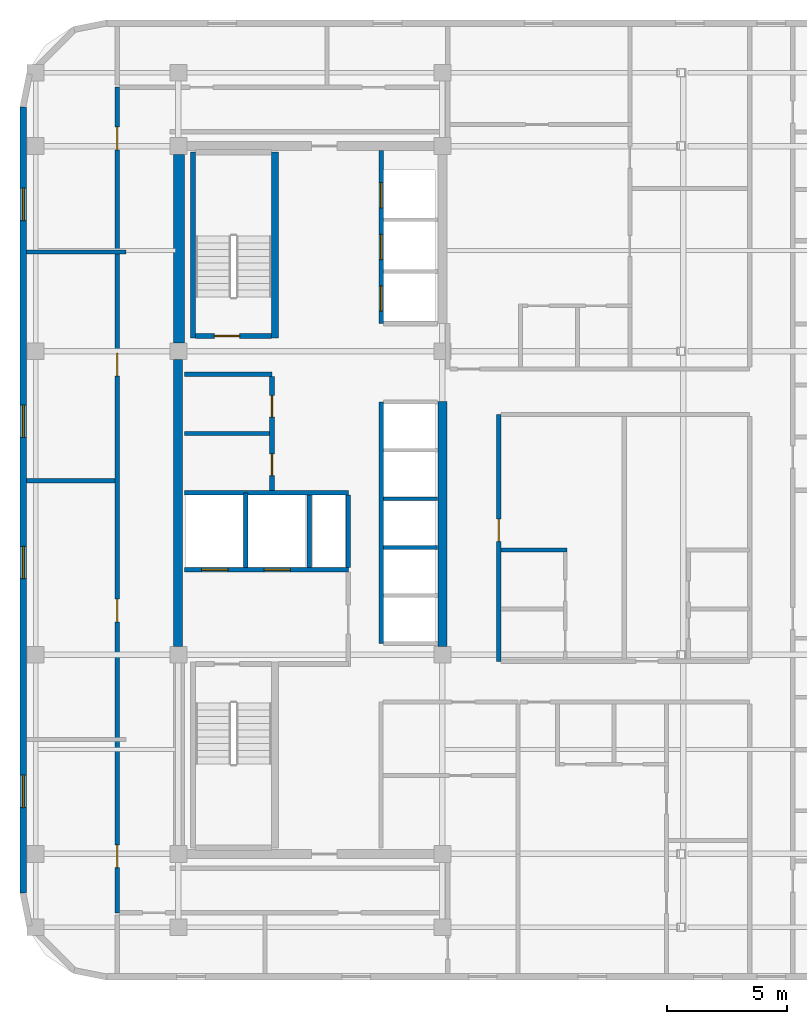
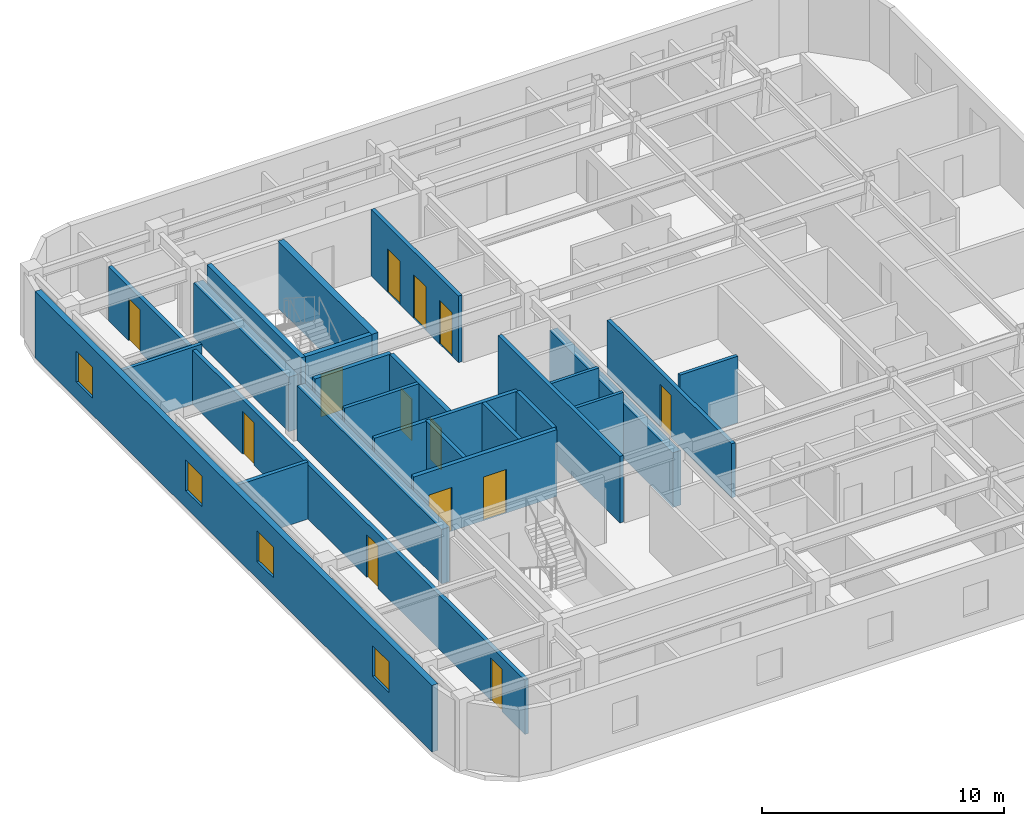
# One storey, part 4 of 8: 24 walls, 13 doors, 4 windows, 17 openings.
"""IFC4 building model written with IfcOpenShell, lengths in metres."""

from ifc_helpers import new_model, si_unit, direction, frame, frame_2d, origin, place, context, subcontext, project, spatial, rectangle, extrude, material, layer, layer_set, type_object, element, fill, save


model = new_model("IFC4")

# Units and contexts
model_context = context("Model", 3, precision=1e-05, world=origin(), true_north=direction((0.0, 1.0)))
body_context = subcontext(model_context, "Body", "Model", "MODEL_VIEW")
ifc_project = project(units=[si_unit("LENGTHUNIT", "METRE"), si_unit("AREAUNIT", "SQUARE_METRE"), si_unit("VOLUMEUNIT", "CUBIC_METRE"), si_unit("PLANEANGLEUNIT", "RADIAN"), si_unit("MASSUNIT", "GRAM", prefix="KILO")], contexts=[model_context])

# Site, building, storey
site_placement = place(None, origin())
site = spatial("IfcSite", under=ifc_project, at=site_placement, CompositionType="ELEMENT")
building_placement = place(site_placement, origin())
building = spatial("IfcBuilding", under=site, at=building_placement, Name="Ochreholt Gables", CompositionType="ELEMENT")
storey_placement = place(building_placement, frame((0.0, 0.0, 148.199951171875)))
storey = spatial("IfcBuildingStorey", under=building, at=storey_placement, Name="L38", CompositionType="ELEMENT", Elevation=148.199951171875)

# Walls
ifc_material_1 = material(Name="Concrete 50 MPa", Category="concrete")
ifc_layer_1 = layer(ifc_material_1, 0.3798828125, Name="Concrete 50 MPa")
ifc_layer_set_1 = layer_set([ifc_layer_1], Name="Concrete 50 MPa")
wall_type_1 = type_object("IfcWallType", Name="WALL-CSW-380", PredefinedType="SHEAR", material=ifc_layer_set_1)
wall_1_placement = place(storey_placement, frame((24.18994140625, 17.89990234375, 0.0), z_axis=(0.0, 0.0, 1.0), x_axis=(0.0, 1.0, 0.0)))
element("IfcWall", 1, at=wall_1_placement, inside=storey, type_object=wall_type_1, Name="L38 Core West Shear Wall WM", PredefinedType="SHEAR", context=body_context, shape_type="SweptSolid", body=[
    extrude(rectangle(XDim=11.9501953125, YDim=0.3798828125, at=frame_2d((5.97509765625, 0.0))), origin(), (0.0, 0.0, 1.0), 2.748046875),
])
wall_2_placement = place(storey_placement, frame((35.2099609375, 17.89990234375, 0.0), z_axis=(0.0, 0.0, 1.0), x_axis=(0.0, 1.0, 0.0)))
element("IfcWall", 2, at=wall_2_placement, inside=storey, type_object=wall_type_1, Name="L38 Core Central-East Shear Wall", PredefinedType="SHEAR", context=body_context, shape_type="SweptSolid", body=[
    extrude(rectangle(XDim=10.2001953125, YDim=0.3798828125, at=frame_2d((5.10009765625, 0.0))), origin(), (0.0, 0.0, 1.0), 2.748046875),
])
ifc_material_2 = material(Name="Concrete 60 MPa", Category="concrete")
ifc_layer_2 = layer(ifc_material_2, 0.449951171875, Name="Concrete 60 MPa")
ifc_layer_set_2 = layer_set([ifc_layer_2], Name="Concrete 60 MPa")
wall_type_2 = type_object("IfcWallType", Name="WALL-CSW-450", PredefinedType="SHEAR", material=ifc_layer_set_2)
wall_3_placement = place(storey_placement, frame((24.22509765625, 30.550048828125, 0.0), z_axis=(0.0, 0.0, 1.0), x_axis=(0.0, 1.0, 0.0)))
element("IfcWall", 3, at=wall_3_placement, inside=storey, type_object=wall_type_2, Name="L38 Core West Shear Wall WN", PredefinedType="SHEAR", context=body_context, shape_type="SweptSolid", body=[
    extrude(rectangle(XDim=7.849853515625, YDim=0.449951171875, at=frame_2d((3.9248046875, 0.0))), origin(), (0.0, 0.0, 1.0), 2.748046875),
])

# Wall, openings, windows
ifc_material_3 = material(Name="Precast concrete 40 MPa", Category="concrete")
ifc_layer_3 = layer(ifc_material_3, 0.280029296875, Name="Precast concrete 40 MPa")
ifc_layer_set_3 = layer_set([ifc_layer_3], Name="Precast concrete 40 MPa")
wall_type_3 = type_object("IfcWallType", Name="WALL-EXT-280", PredefinedType="SOLIDWALL", material=ifc_layer_set_3)
wall_4_placement = place(storey_placement, frame((17.739990234375, 40.3798828125, 0.0), z_axis=(0.0, 0.0, 1.0), x_axis=(0.0, -1.0, 0.0)))
wall_4 = element("IfcWall", 4, at=wall_4_placement, inside=storey, type_object=wall_type_3, Name="L38 West Exterior Wall", PredefinedType="SOLIDWALL", context=body_context, shape_type="SweptSolid", body=[
    extrude(rectangle(XDim=32.759765625, YDim=0.280029296875, at=frame_2d((16.3798828125, 0.0))), origin(), (0.0, 0.0, 1.0), 3.360107421875),
])
opening_1_placement = place(wall_4_placement, frame((27.847412109375, 0.0, 0.85009765625)))
opening_1 = element("IfcOpeningElement", 5, at=opening_1_placement, cuts=wall_4, Name="Opening WN-8", PredefinedType="OPENING", context=body_context, shape_type="SweptSolid", body=[
    extrude(rectangle(XDim=1.35009765625, YDim=1.550048828125, at=frame_2d((0.675048828125, 0.77490234375))), frame((0.0, 0.14990234375, 0.0), z_axis=(0.0, -1.0, 0.0), x_axis=(1.0, 0.0, 0.0)), (0.0, 0.0, 1.0), 0.300048828125),
])
opening_2_placement = place(wall_4_placement, frame((18.31005859375, 0.0, 0.85009765625)))
opening_2 = element("IfcOpeningElement", 6, at=opening_2_placement, cuts=wall_4, Name="Opening WN-8", PredefinedType="OPENING", context=body_context, shape_type="SweptSolid", body=[
    extrude(rectangle(XDim=1.35009765625, YDim=1.550048828125, at=frame_2d((0.675048828125, 0.77490234375))), frame((0.0, 0.14990234375, 0.0), z_axis=(0.0, -1.0, 0.0), x_axis=(1.0, 0.0, 0.0)), (0.0, 0.0, 1.0), 0.300048828125),
])
opening_3_placement = place(wall_4_placement, frame((12.425048828125, 0.0, 0.85009765625)))
opening_3 = element("IfcOpeningElement", 7, at=opening_3_placement, cuts=wall_4, Name="Opening WN-8", PredefinedType="OPENING", context=body_context, shape_type="SweptSolid", body=[
    extrude(rectangle(XDim=1.35009765625, YDim=1.550048828125, at=frame_2d((0.675048828125, 0.77490234375))), frame((0.0, 0.14990234375, 0.0), z_axis=(0.0, -1.0, 0.0), x_axis=(1.0, 0.0, 0.0)), (0.0, 0.0, 1.0), 0.300048828125),
])
opening_4_placement = place(wall_4_placement, frame((3.387451171875, 0.0, 0.85009765625)))
opening_4 = element("IfcOpeningElement", 8, at=opening_4_placement, cuts=wall_4, Name="Opening WN-8", PredefinedType="OPENING", context=body_context, shape_type="SweptSolid", body=[
    extrude(rectangle(XDim=1.35009765625, YDim=1.550048828125, at=frame_2d((0.675048828125, 0.77490234375))), frame((0.0, 0.14990234375, 0.0), z_axis=(0.0, -1.0, 0.0), x_axis=(1.0, 0.0, 0.0)), (0.0, 0.0, 1.0), 0.300048828125),
])
ifc_material_4 = material(Name="Triple-Glazed Thermally Broken Aluminium Window", Category="aluminium")
window_type = type_object("IfcWindowType", Name="WIN-RES-1350", PartitioningType="SINGLE_PANEL", PredefinedType="WINDOW", material=ifc_material_4)
window_1_placement = place(opening_1_placement, origin())
window_1 = element("IfcWindow", 9, at=window_1_placement, inside=storey, type_object=window_type, Name="L38 Window W-EXT-W-L38-1", OverallHeight=1.550048828125, OverallWidth=1.35009765625, PartitioningType="SINGLE_PANEL", PredefinedType="WINDOW", context=body_context, shape_type="SweptSolid", body=[
    extrude(rectangle(XDim=1.35009765625, YDim=1.550048828125, at=frame_2d((0.675048828125, 0.77490234375))), frame((0.0, 0.030029296875, 0.0), z_axis=(0.0, -1.0, 0.0), x_axis=(1.0, 0.0, 0.0)), (0.0, 0.0, 1.0), 0.06005859375),
])
fill(opening_1, window_1)
window_2_placement = place(opening_2_placement, origin())
window_2 = element("IfcWindow", 10, at=window_2_placement, inside=storey, type_object=window_type, Name="L38 Window W-EXT-W-L38-2", OverallHeight=1.550048828125, OverallWidth=1.35009765625, PartitioningType="SINGLE_PANEL", PredefinedType="WINDOW", context=body_context, shape_type="SweptSolid", body=[
    extrude(rectangle(XDim=1.35009765625, YDim=1.550048828125, at=frame_2d((0.675048828125, 0.77490234375))), frame((0.0, 0.030029296875, 0.0), z_axis=(0.0, -1.0, 0.0), x_axis=(1.0, 0.0, 0.0)), (0.0, 0.0, 1.0), 0.06005859375),
])
fill(opening_2, window_2)
window_3_placement = place(opening_3_placement, origin())
window_3 = element("IfcWindow", 11, at=window_3_placement, inside=storey, type_object=window_type, Name="L38 Window W-EXT-W-L38-3", OverallHeight=1.550048828125, OverallWidth=1.35009765625, PartitioningType="SINGLE_PANEL", PredefinedType="WINDOW", context=body_context, shape_type="SweptSolid", body=[
    extrude(rectangle(XDim=1.35009765625, YDim=1.550048828125, at=frame_2d((0.675048828125, 0.77490234375))), frame((0.0, 0.030029296875, 0.0), z_axis=(0.0, -1.0, 0.0), x_axis=(1.0, 0.0, 0.0)), (0.0, 0.0, 1.0), 0.06005859375),
])
fill(opening_3, window_3)
window_4_placement = place(opening_4_placement, origin())
window_4 = element("IfcWindow", 12, at=window_4_placement, inside=storey, type_object=window_type, Name="L38 Window W-EXT-W-L38-4", OverallHeight=1.550048828125, OverallWidth=1.35009765625, PartitioningType="SINGLE_PANEL", PredefinedType="WINDOW", context=body_context, shape_type="SweptSolid", body=[
    extrude(rectangle(XDim=1.35009765625, YDim=1.550048828125, at=frame_2d((0.675048828125, 0.77490234375))), frame((0.0, 0.030029296875, 0.0), z_axis=(0.0, -1.0, 0.0), x_axis=(1.0, 0.0, 0.0)), (0.0, 0.0, 1.0), 0.06005859375),
])
fill(opening_4, window_4)

# Wall, openings, doors
ifc_material_5 = material(Name="Concrete 40 MPa", Category="concrete")
ifc_layer_4 = layer(ifc_material_5, 0.199951171875, Name="Concrete 40 MPa")
ifc_layer_set_4 = layer_set([ifc_layer_4], Name="Concrete 40 MPa")
wall_type_4 = type_object("IfcWallType", Name="WALL-INT-CF200", PredefinedType="STANDARD", material=ifc_layer_set_4)
wall_5_placement = place(storey_placement, frame((24.449951171875, 21.090087890625, 0.0), z_axis=(0.0, 0.0, 1.0), x_axis=(1.0, 0.0, 0.0)))
wall_5 = element("IfcWall", 13, at=wall_5_placement, inside=storey, type_object=wall_type_4, Name="L38 Interior Wall WI-FFN-L38", PredefinedType="STANDARD", context=body_context, shape_type="SweptSolid", body=[
    extrude(rectangle(XDim=6.830078125, YDim=0.199951171875, at=frame_2d((3.4150390625, 0.0))), origin(), (0.0, 0.0, 1.0), 3.360107421875),
])
opening_5_placement = place(wall_5_placement, frame((0.719970703125, 0.0, 0.0)))
opening_5 = element("IfcOpeningElement", 14, at=opening_5_placement, cuts=wall_5, Name="Opening LD-FF", PredefinedType="OPENING", context=body_context, shape_type="SweptSolid", body=[
    extrude(rectangle(XDim=1.10009765625, YDim=2.199951171875, at=frame_2d((0.550048828125, 1.10009765625))), frame((0.0, 0.10986328125, 0.0), z_axis=(0.0, -1.0, 0.0), x_axis=(1.0, 0.0, 0.0)), (0.0, 0.0, 1.0), 0.219970703125),
])
opening_6_placement = place(wall_5_placement, frame((3.320068359375, 0.0, 0.0)))
opening_6 = element("IfcOpeningElement", 15, at=opening_6_placement, cuts=wall_5, Name="Opening LD-FF", PredefinedType="OPENING", context=body_context, shape_type="SweptSolid", body=[
    extrude(rectangle(XDim=1.10009765625, YDim=2.199951171875, at=frame_2d((0.550048828125, 1.10009765625))), frame((0.0, 0.10986328125, 0.0), z_axis=(0.0, -1.0, 0.0), x_axis=(1.0, 0.0, 0.0)), (0.0, 0.0, 1.0), 0.219970703125),
])
ifc_material_6 = material(Name="Stainless Steel", Category="steel")
door_type_1 = type_object("IfcDoorType", Name="DR-LFT-FF1100", OperationType="NOTDEFINED", PredefinedType="DOOR", material=ifc_material_6)
door_1_placement = place(opening_5_placement, origin())
door_1 = element("IfcDoor", 16, at=door_1_placement, inside=storey, type_object=door_type_1, Name="L38 Door LD-FF1-L38", OperationType="SLIDING_TO_LEFT", OverallHeight=2.199951171875, OverallWidth=1.10009765625, PredefinedType="DOOR", context=body_context, shape_type="SweptSolid", body=[
    extrude(rectangle(XDim=1.10009765625, YDim=2.199951171875, at=frame_2d((0.550048828125, 1.10009765625))), frame((0.0, 0.02490234375, 0.0), z_axis=(0.0, -1.0, 0.0), x_axis=(1.0, 0.0, 0.0)), (0.0, 0.0, 1.0), 0.050048828125),
])
fill(opening_5, door_1)
door_2_placement = place(opening_6_placement, origin())
door_2 = element("IfcDoor", 17, at=door_2_placement, inside=storey, type_object=door_type_1, Name="L38 Door LD-FF2-L38", OperationType="SLIDING_TO_LEFT", OverallHeight=2.199951171875, OverallWidth=1.10009765625, PredefinedType="DOOR", context=body_context, shape_type="SweptSolid", body=[
    extrude(rectangle(XDim=1.10009765625, YDim=2.199951171875, at=frame_2d((0.550048828125, 1.10009765625))), frame((0.0, 0.02490234375, 0.0), z_axis=(0.0, -1.0, 0.0), x_axis=(1.0, 0.0, 0.0)), (0.0, 0.0, 1.0), 0.050048828125),
])
fill(opening_6, door_2)

# Wall
wall_6_placement = place(storey_placement, frame((24.449951171875, 29.239990234375, 0.0), z_axis=(0.0, 0.0, 1.0), x_axis=(1.0, 0.0, 0.0)))
element("IfcWall", 18, at=wall_6_placement, inside=storey, type_object=wall_type_4, Name="L38 Interior Wall WI-SRVN-L38", PredefinedType="STANDARD", context=body_context, shape_type="SweptSolid", body=[
    extrude(rectangle(XDim=3.650146484375, YDim=0.199951171875, at=frame_2d((1.8251953125, 0.0))), origin(), (0.0, 0.0, 1.0), 3.360107421875),
])

# Wall, openings, doors
wall_7_placement = place(storey_placement, frame((28.10009765625, 24.389892578125, 0.0), z_axis=(0.0, 0.0, 1.0), x_axis=(0.0, 1.0, 0.0)))
wall_7 = element("IfcWall", 19, at=wall_7_placement, inside=storey, type_object=wall_type_4, Name="L38 Interior Wall WI-SRVE-L38", PredefinedType="STANDARD", context=body_context, shape_type="SweptSolid", body=[
    extrude(rectangle(XDim=4.75, YDim=0.199951171875, at=frame_2d((2.375, 0.0))), origin(), (0.0, 0.0, 1.0), 3.360107421875),
])
opening_7_placement = place(wall_7_placement, frame((0.6298828125, 0.0, 0.0)))
opening_7 = element("IfcOpeningElement", 20, at=opening_7_placement, cuts=wall_7, Name="Opening D-SV1", PredefinedType="OPENING", context=body_context, shape_type="SweptSolid", body=[
    extrude(rectangle(XDim=0.89990234375, YDim=2.10009765625, at=frame_2d((0.449951171875, 1.050048828125))), frame((0.0, 0.10986328125, 0.0), z_axis=(0.0, -1.0, 0.0), x_axis=(1.0, 0.0, 0.0)), (0.0, 0.0, 1.0), 0.219970703125),
])
opening_8_placement = place(wall_7_placement, frame((3.06005859375, 0.0, 0.0)))
opening_8 = element("IfcOpeningElement", 21, at=opening_8_placement, cuts=wall_7, Name="Opening D-SV1", PredefinedType="OPENING", context=body_context, shape_type="SweptSolid", body=[
    extrude(rectangle(XDim=0.89990234375, YDim=2.10009765625, at=frame_2d((0.449951171875, 1.050048828125))), frame((0.0, 0.10986328125, 0.0), z_axis=(0.0, -1.0, 0.0), x_axis=(1.0, 0.0, 0.0)), (0.0, 0.0, 1.0), 0.219970703125),
])
ifc_material_7 = material(Name="Hollow Metal Steel", Category="steel")
door_type_2 = type_object("IfcDoorType", Name="DR-INT-SRV900", OperationType="NOTDEFINED", PredefinedType="DOOR", material=ifc_material_7)
door_3_placement = place(opening_7_placement, origin())
door_3 = element("IfcDoor", 22, at=door_3_placement, inside=storey, type_object=door_type_2, Name="L38 Door D-SRV1-L38", OperationType="SINGLE_SWING_LEFT", OverallHeight=2.10009765625, OverallWidth=0.89990234375, PredefinedType="DOOR", context=body_context, shape_type="SweptSolid", body=[
    extrude(rectangle(XDim=0.89990234375, YDim=2.10009765625, at=frame_2d((0.449951171875, 1.050048828125))), frame((0.0, 0.02490234375, 0.0), z_axis=(0.0, -1.0, 0.0), x_axis=(1.0, 0.0, 0.0)), (0.0, 0.0, 1.0), 0.050048828125),
])
fill(opening_7, door_3)
door_4_placement = place(opening_8_placement, origin())
door_4 = element("IfcDoor", 23, at=door_4_placement, inside=storey, type_object=door_type_2, Name="L38 Door D-SRV2-L38", OperationType="SINGLE_SWING_RIGHT", OverallHeight=2.10009765625, OverallWidth=0.89990234375, PredefinedType="DOOR", context=body_context, shape_type="SweptSolid", body=[
    extrude(rectangle(XDim=0.89990234375, YDim=2.10009765625, at=frame_2d((0.449951171875, 1.050048828125))), frame((0.0, 0.02490234375, 0.0), z_axis=(0.0, -1.0, 0.0), x_axis=(1.0, 0.0, 0.0)), (0.0, 0.0, 1.0), 0.050048828125),
])
fill(opening_8, door_4)

# Wall, opening, door
ifc_material_8 = material(Name="Fire-Rated Gypsum Acoustic Partition", Category="gypsum")
ifc_layer_5 = layer(ifc_material_8, 0.179931640625, Name="Fire-Rated Gypsum Acoustic Partition")
ifc_layer_set_5 = layer_set([ifc_layer_5], Name="Fire-Rated Gypsum Acoustic Partition")
wall_type_5 = type_object("IfcWallType", Name="WALL-INT-CR180", PredefinedType="STANDARD", material=ifc_layer_set_5)
wall_8_placement = place(storey_placement, frame((37.550048828125, 17.280029296875, 0.0), z_axis=(0.0, 0.0, 1.0), x_axis=(0.0, 1.0, 0.0)))
wall_8 = element("IfcWall", 24, at=wall_8_placement, inside=storey, type_object=wall_type_5, Name="L38 Interior Wall WI-C2EM-L38", PredefinedType="STANDARD", context=body_context, shape_type="SweptSolid", body=[
    extrude(rectangle(XDim=10.280029296875, YDim=0.179931640625, at=frame_2d((5.14013671875, 0.0))), origin(), (0.0, 0.0, 1.0), 2.72998046875),
])
opening_9_placement = place(wall_8_placement, frame((5.0, 0.0, 0.0)))
opening_9 = element("IfcOpeningElement", 25, at=opening_9_placement, cuts=wall_8, Name="Opening D-UN1", PredefinedType="OPENING", context=body_context, shape_type="SweptSolid", body=[
    extrude(rectangle(XDim=0.919921875, YDim=2.14990234375, at=frame_2d((0.4599609375, 1.074951171875))), frame((0.0, 0.099853515625, 0.0), z_axis=(0.0, -1.0, 0.0), x_axis=(1.0, 0.0, 0.0)), (0.0, 0.0, 1.0), 0.199951171875),
])
ifc_material_9 = material(Name="Engineered Oak Timber", Category="wood")
door_type_3 = type_object("IfcDoorType", Name="DR-INT-UNT920", OperationType="NOTDEFINED", PredefinedType="DOOR", material=ifc_material_9)
door_5_placement = place(opening_9_placement, origin())
door_5 = element("IfcDoor", 26, at=door_5_placement, inside=storey, type_object=door_type_3, Name="L38 Door D-U-L38M1-ENT", OperationType="SINGLE_SWING_RIGHT", OverallHeight=2.14990234375, OverallWidth=0.919921875, PredefinedType="DOOR", context=body_context, shape_type="SweptSolid", body=[
    extrude(rectangle(XDim=0.919921875, YDim=2.14990234375, at=frame_2d((0.4599609375, 1.074951171875))), frame((0.0, 0.02490234375, 0.0), z_axis=(0.0, -1.0, 0.0), x_axis=(1.0, 0.0, 0.0)), (0.0, 0.0, 1.0), 0.050048828125),
])
fill(opening_9, door_5)

# Wall, openings, doors
wall_9_placement = place(storey_placement, frame((21.64990234375, 6.800048828125, 0.0), z_axis=(0.0, 0.0, 1.0), x_axis=(0.0, 1.0, 0.0)))
wall_9 = element("IfcWall", 27, at=wall_9_placement, inside=storey, type_object=wall_type_5, Name="L38 Interior Wall WI-C2WCW-L38", PredefinedType="STANDARD", context=body_context, shape_type="SweptSolid", body=[
    extrude(rectangle(XDim=34.39990234375, YDim=0.179931640625, at=frame_2d((17.199951171875, 0.0))), origin(), (0.0, 0.0, 1.0), 2.72998046875),
])
opening_10_placement = place(wall_9_placement, frame((1.882568359375, 0.0, 0.0)))
opening_10 = element("IfcOpeningElement", 28, at=opening_10_placement, cuts=wall_9, Name="Opening D-GN1", PredefinedType="OPENING", context=body_context, shape_type="SweptSolid", body=[
    extrude(rectangle(XDim=0.949951171875, YDim=2.14990234375, at=frame_2d((0.47509765625, 1.074951171875))), frame((0.0, 0.099853515625, 0.0), z_axis=(0.0, -1.0, 0.0), x_axis=(1.0, 0.0, 0.0)), (0.0, 0.0, 1.0), 0.199951171875),
])
opening_11_placement = place(wall_9_placement, frame((12.117431640625, 0.0, 0.0)))
opening_11 = element("IfcOpeningElement", 29, at=opening_11_placement, cuts=wall_9, Name="Opening D-GN1", PredefinedType="OPENING", context=body_context, shape_type="SweptSolid", body=[
    extrude(rectangle(XDim=0.949951171875, YDim=2.14990234375, at=frame_2d((0.47509765625, 1.074951171875))), frame((0.0, 0.099853515625, 0.0), z_axis=(0.0, -1.0, 0.0), x_axis=(1.0, 0.0, 0.0)), (0.0, 0.0, 1.0), 0.199951171875),
])
opening_12_placement = place(wall_9_placement, frame((22.357421875, 0.0, 0.0)))
opening_12 = element("IfcOpeningElement", 30, at=opening_12_placement, cuts=wall_9, Name="Opening D-GN1", PredefinedType="OPENING", context=body_context, shape_type="SweptSolid", body=[
    extrude(rectangle(XDim=0.949951171875, YDim=2.14990234375, at=frame_2d((0.47509765625, 1.074951171875))), frame((0.0, 0.099853515625, 0.0), z_axis=(0.0, -1.0, 0.0), x_axis=(1.0, 0.0, 0.0)), (0.0, 0.0, 1.0), 0.199951171875),
])
opening_13_placement = place(wall_9_placement, frame((31.79248046875, 0.0, 0.0)))
opening_13 = element("IfcOpeningElement", 31, at=opening_13_placement, cuts=wall_9, Name="Opening D-GN1", PredefinedType="OPENING", context=body_context, shape_type="SweptSolid", body=[
    extrude(rectangle(XDim=0.949951171875, YDim=2.14990234375, at=frame_2d((0.47509765625, 1.074951171875))), frame((0.0, 0.099853515625, 0.0), z_axis=(0.0, -1.0, 0.0), x_axis=(1.0, 0.0, 0.0)), (0.0, 0.0, 1.0), 0.199951171875),
])
door_type_4 = type_object("IfcDoorType", Name="DR-INT-GEN950", OperationType="NOTDEFINED", PredefinedType="DOOR", material=ifc_material_9)
door_6_placement = place(opening_10_placement, origin())
door_6 = element("IfcDoor", 32, at=door_6_placement, inside=storey, type_object=door_type_4, Name="L38 Door D-U-L38W1A-ENT", OperationType="SINGLE_SWING_RIGHT", OverallHeight=2.14990234375, OverallWidth=0.949951171875, PredefinedType="DOOR", context=body_context, shape_type="SweptSolid", body=[
    extrude(rectangle(XDim=0.949951171875, YDim=2.14990234375, at=frame_2d((0.47509765625, 1.074951171875))), frame((0.0, 0.02490234375, 0.0), z_axis=(0.0, -1.0, 0.0), x_axis=(1.0, 0.0, 0.0)), (0.0, 0.0, 1.0), 0.050048828125),
])
fill(opening_10, door_6)
door_7_placement = place(opening_11_placement, origin())
door_7 = element("IfcDoor", 33, at=door_7_placement, inside=storey, type_object=door_type_4, Name="L38 Door D-U-L38W1B-ENT", OperationType="SINGLE_SWING_LEFT", OverallHeight=2.14990234375, OverallWidth=0.949951171875, PredefinedType="DOOR", context=body_context, shape_type="SweptSolid", body=[
    extrude(rectangle(XDim=0.949951171875, YDim=2.14990234375, at=frame_2d((0.47509765625, 1.074951171875))), frame((0.0, 0.02490234375, 0.0), z_axis=(0.0, -1.0, 0.0), x_axis=(1.0, 0.0, 0.0)), (0.0, 0.0, 1.0), 0.050048828125),
])
fill(opening_11, door_7)
door_8_placement = place(opening_12_placement, origin())
door_8 = element("IfcDoor", 34, at=door_8_placement, inside=storey, type_object=door_type_4, Name="L38 Door D-U-L38W2A-ENT", OperationType="SINGLE_SWING_LEFT", OverallHeight=2.14990234375, OverallWidth=0.949951171875, PredefinedType="DOOR", context=body_context, shape_type="SweptSolid", body=[
    extrude(rectangle(XDim=0.949951171875, YDim=2.14990234375, at=frame_2d((0.47509765625, 1.074951171875))), frame((0.0, 0.02490234375, 0.0), z_axis=(0.0, -1.0, 0.0), x_axis=(1.0, 0.0, 0.0)), (0.0, 0.0, 1.0), 0.050048828125),
])
fill(opening_12, door_8)
door_9_placement = place(opening_13_placement, origin())
door_9 = element("IfcDoor", 35, at=door_9_placement, inside=storey, type_object=door_type_4, Name="L38 Door D-U-L38W2B-ENT", OperationType="SINGLE_SWING_RIGHT", OverallHeight=2.14990234375, OverallWidth=0.949951171875, PredefinedType="DOOR", context=body_context, shape_type="SweptSolid", body=[
    extrude(rectangle(XDim=0.949951171875, YDim=2.14990234375, at=frame_2d((0.47509765625, 1.074951171875))), frame((0.0, 0.02490234375, 0.0), z_axis=(0.0, -1.0, 0.0), x_axis=(1.0, 0.0, 0.0)), (0.0, 0.0, 1.0), 0.050048828125),
])
fill(opening_13, door_9)

# Walls
ifc_material_10 = material(Name="Double-Stud Acoustic Demising Wall", Category="gypsum")
ifc_layer_6 = layer(ifc_material_10, 0.179931640625, Name="Double-Stud Acoustic Demising Wall")
ifc_layer_set_6 = layer_set([ifc_layer_6], Name="Double-Stud Acoustic Demising Wall")
wall_type_6 = type_object("IfcWallType", Name="WALL-INT-DM180", PredefinedType="PARTITIONING", material=ifc_layer_set_6)
wall_10_placement = place(storey_placement, frame((17.8798828125, 24.800048828125, 0.0), z_axis=(0.0, 0.0, 1.0), x_axis=(1.0, 0.0, 0.0)))
element("IfcWall", 36, at=wall_10_placement, inside=storey, type_object=wall_type_6, Name="L38 Interior Wall WI-C2UDW2-L38", PredefinedType="PARTITIONING", context=body_context, shape_type="SweptSolid", body=[
    extrude(rectangle(XDim=3.68017578125, YDim=0.179931640625, at=frame_2d((1.840087890625, 0.0))), origin(), (0.0, 0.0, 1.0), 2.879150390625),
])
ifc_material_11 = material(Name="Moisture-Resistant Plumbing Chase Wall", Category="gypsum")
ifc_layer_7 = layer(ifc_material_11, 0.159912109375, Name="Moisture-Resistant Plumbing Chase Wall")
ifc_layer_set_7 = layer_set([ifc_layer_7], Name="Moisture-Resistant Plumbing Chase Wall")
wall_type_7 = type_object("IfcWallType", Name="WALL-INT-PL160", PredefinedType="PLUMBINGWALL", material=ifc_layer_set_7)
wall_11_placement = place(storey_placement, frame((37.639892578125, 21.919921875, 0.0), z_axis=(0.0, 0.0, 1.0), x_axis=(1.0, 0.0, 0.0)))
element("IfcWall", 37, at=wall_11_placement, inside=storey, type_object=wall_type_7, Name="L38 Interior Wall WU-L38M1-WYN", PredefinedType="PLUMBINGWALL", context=body_context, shape_type="SweptSolid", body=[
    extrude(rectangle(XDim=2.758056640625, YDim=0.159912109375, at=frame_2d((1.37890625, 0.0))), origin(), (0.0, 0.0, 1.0), 3.360107421875),
])
ifc_material_12 = material(Name="Gypsum Acoustic Stud Partition", Category="gypsum")
ifc_layer_8 = layer(ifc_material_12, 0.1650390625, Name="Gypsum Acoustic Stud Partition")
ifc_layer_set_8 = layer_set([ifc_layer_8], Name="Gypsum Acoustic Stud Partition")
wall_type_8 = type_object("IfcWallType", Name="WALL-INT-PT165", PredefinedType="PARTITIONING", material=ifc_layer_set_8)
wall_12_placement = place(storey_placement, frame((24.449951171875, 26.780029296875, 0.0), z_axis=(0.0, 0.0, 1.0), x_axis=(1.0, 0.0, 0.0)))
element("IfcWall", 38, at=wall_12_placement, inside=storey, type_object=wall_type_8, Name="L38 Interior Wall WI-SRVP1-L38", PredefinedType="PARTITIONING", context=body_context, shape_type="SweptSolid", body=[
    extrude(rectangle(XDim=3.550048828125, YDim=0.1650390625, at=frame_2d((1.77490234375, 0.0))), origin(), (0.0, 0.0, 1.0), 3.360107421875),
])
wall_13_placement = place(storey_placement, frame((17.8798828125, 34.324951171875, 0.0), z_axis=(0.0, 0.0, 1.0), x_axis=(1.0, 0.0, 0.0)))
element("IfcWall", 39, at=wall_13_placement, inside=storey, type_object=wall_type_8, Name="L38 Interior Wall WU-L38W2-SDV", PredefinedType="PARTITIONING", context=body_context, shape_type="SweptSolid", body=[
    extrude(rectangle(XDim=4.130126953125, YDim=0.1650390625, at=frame_2d((2.06494140625, 0.0))), origin(), (0.0, 0.0, 1.0), 2.879150390625),
])
ifc_material_13 = material(Name="Gypsum Shaftliner and Steel Stud", Category="steel")
ifc_layer_9 = layer(ifc_material_13, 0.14990234375, Name="Gypsum Shaftliner and Steel Stud")
ifc_layer_set_9 = layer_set([ifc_layer_9], Name="Gypsum Shaftliner and Steel Stud")
wall_type_9 = type_object("IfcWallType", Name="WALL-INT-SH150", PredefinedType="STANDARD", material=ifc_layer_set_9)
for number, where, z_axis, x_axis, name in (
    (40, (32.739990234375, 22.02001953125, 0.0), (0.0, 0.0, 1.0), (1.0, 0.0, 0.0), "L38 Interior Wall WI-LFHE-DH2-L38"),
    (41, (32.739990234375, 24.050048828125, 0.0), (0.0, 0.0, 1.0), (1.0, 0.0, 0.0), "L38 Interior Wall WI-LFHE-DHE-L38"),
):
    element("IfcWall", number, at=place(storey_placement, frame(where, z_axis=z_axis, x_axis=x_axis)), inside=storey, type_object=wall_type_9, Name=name, PredefinedType="STANDARD", context=body_context, shape_type="SweptSolid", body=[
        extrude(rectangle(XDim=2.260009765625, YDim=0.14990234375, at=frame_2d((1.1298828125, 0.0))), origin(), (0.0, 0.0, 1.0), 3.360107421875),
    ])
ifc_layer_10 = layer(ifc_material_13, 0.179931640625, Name="Gypsum Shaftliner and Steel Stud")
ifc_layer_set_10 = layer_set([ifc_layer_10], Name="Gypsum Shaftliner and Steel Stud")
wall_type_10 = type_object("IfcWallType", Name="WALL-INT-SH180", PredefinedType="STANDARD", material=ifc_layer_set_10)
wall_14_placement = place(storey_placement, frame((27.0, 21.18994140625, 0.0), z_axis=(0.0, 0.0, 1.0), x_axis=(0.0, 1.0, 0.0)))
element("IfcWall", 42, at=wall_14_placement, inside=storey, type_object=wall_type_10, Name="L38 Interior Wall WI-FFDIV-L38", PredefinedType="STANDARD", context=body_context, shape_type="SweptSolid", body=[
    extrude(rectangle(XDim=3.110107421875, YDim=0.179931640625, at=frame_2d((1.55517578125, 0.0))), origin(), (0.0, 0.0, 1.0), 3.360107421875),
])
wall_15_placement = place(storey_placement, frame((24.449951171875, 24.300048828125, 0.0), z_axis=(0.0, 0.0, 1.0), x_axis=(1.0, 0.0, 0.0)))
element("IfcWall", 43, at=wall_15_placement, inside=storey, type_object=wall_type_10, Name="L38 Interior Wall WI-FFBK-L38", PredefinedType="STANDARD", context=body_context, shape_type="SweptSolid", body=[
    extrude(rectangle(XDim=6.830078125, YDim=0.179931640625, at=frame_2d((3.4150390625, 0.0))), origin(), (0.0, 0.0, 1.0), 3.360107421875),
])
for number, where, z_axis, x_axis, name in (
    (44, (29.64990234375, 21.18994140625, 0.0), (0.0, 0.0, 1.0), (0.0, 1.0, 0.0), "L38 Interior Wall WI-FFSH-L38"),
    (45, (31.280029296875, 21.18994140625, 0.0), (0.0, 0.0, 1.0), (0.0, 1.0, 0.0), "L38 Interior Wall WI-RSE-L38"),
):
    element("IfcWall", number, at=place(storey_placement, frame(where, z_axis=z_axis, x_axis=x_axis)), inside=storey, type_object=wall_type_10, Name=name, PredefinedType="STANDARD", context=body_context, shape_type="SweptSolid", body=[
        extrude(rectangle(XDim=3.02001953125, YDim=0.179931640625, at=frame_2d((1.510009765625, 0.0))), origin(), (0.0, 0.0, 1.0), 3.360107421875),
    ])
wall_16_placement = place(storey_placement, frame((32.64990234375, 18.02001953125, 0.0), z_axis=(0.0, 0.0, 1.0), x_axis=(0.0, 1.0, 0.0)))
element("IfcWall", 46, at=wall_16_placement, inside=storey, type_object=wall_type_10, Name="L38 Interior Wall WI-LFHE-FR-L38", PredefinedType="STANDARD", context=body_context, shape_type="SweptSolid", body=[
    extrude(rectangle(XDim=10.06005859375, YDim=0.179931640625, at=frame_2d((5.030029296875, 0.0))), origin(), (0.0, 0.0, 1.0), 3.360107421875),
])

# Wall, openings, doors
wall_17_placement = place(storey_placement, frame((32.64990234375, 31.35009765625, 0.0), z_axis=(0.0, 0.0, 1.0), x_axis=(0.0, 1.0, 0.0)))
wall_17 = element("IfcWall", 47, at=wall_17_placement, inside=storey, type_object=wall_type_10, Name="L38 Interior Wall WI-LFM-FR-L38", PredefinedType="STANDARD", context=body_context, shape_type="SweptSolid", body=[
    extrude(rectangle(XDim=7.2099609375, YDim=0.179931640625, at=frame_2d((3.60498046875, 0.0))), origin(), (0.0, 0.0, 1.0), 3.360107421875),
])
opening_14_placement = place(wall_17_placement, frame((0.52001953125, 0.0, 0.0)))
opening_14 = element("IfcOpeningElement", 48, at=opening_14_placement, cuts=wall_17, Name="Opening LD-PX", PredefinedType="OPENING", context=body_context, shape_type="SweptSolid", body=[
    extrude(rectangle(XDim=1.050048828125, YDim=2.199951171875, at=frame_2d((0.52490234375, 1.10009765625))), frame((0.0, 0.099853515625, 0.0), z_axis=(0.0, -1.0, 0.0), x_axis=(1.0, 0.0, 0.0)), (0.0, 0.0, 1.0), 0.199951171875),
])
opening_15_placement = place(wall_17_placement, frame((2.669921875, 0.0, 0.0)))
opening_15 = element("IfcOpeningElement", 49, at=opening_15_placement, cuts=wall_17, Name="Opening LD-PX", PredefinedType="OPENING", context=body_context, shape_type="SweptSolid", body=[
    extrude(rectangle(XDim=1.050048828125, YDim=2.199951171875, at=frame_2d((0.52490234375, 1.10009765625))), frame((0.0, 0.099853515625, 0.0), z_axis=(0.0, -1.0, 0.0), x_axis=(1.0, 0.0, 0.0)), (0.0, 0.0, 1.0), 0.199951171875),
])
opening_16_placement = place(wall_17_placement, frame((4.820068359375, 0.0, 0.0)))
opening_16 = element("IfcOpeningElement", 50, at=opening_16_placement, cuts=wall_17, Name="Opening LD-PX", PredefinedType="OPENING", context=body_context, shape_type="SweptSolid", body=[
    extrude(rectangle(XDim=1.050048828125, YDim=2.199951171875, at=frame_2d((0.52490234375, 1.10009765625))), frame((0.0, 0.099853515625, 0.0), z_axis=(0.0, -1.0, 0.0), x_axis=(1.0, 0.0, 0.0)), (0.0, 0.0, 1.0), 0.199951171875),
])
door_type_5 = type_object("IfcDoorType", Name="DR-LFT-PX1050", OperationType="NOTDEFINED", PredefinedType="DOOR", material=ifc_material_6)
door_10_placement = place(opening_14_placement, origin())
door_10 = element("IfcDoor", 51, at=door_10_placement, inside=storey, type_object=door_type_5, Name="L38 Door LD-M1-L38", OperationType="SLIDING_TO_LEFT", OverallHeight=2.199951171875, OverallWidth=1.050048828125, PredefinedType="DOOR", context=body_context, shape_type="SweptSolid", body=[
    extrude(rectangle(XDim=1.050048828125, YDim=2.199951171875, at=frame_2d((0.52490234375, 1.10009765625))), frame((0.0, 0.02490234375, 0.0), z_axis=(0.0, -1.0, 0.0), x_axis=(1.0, 0.0, 0.0)), (0.0, 0.0, 1.0), 0.050048828125),
])
fill(opening_14, door_10)
door_11_placement = place(opening_15_placement, origin())
door_11 = element("IfcDoor", 52, at=door_11_placement, inside=storey, type_object=door_type_5, Name="L38 Door LD-M2-L38", OperationType="SLIDING_TO_LEFT", OverallHeight=2.199951171875, OverallWidth=1.050048828125, PredefinedType="DOOR", context=body_context, shape_type="SweptSolid", body=[
    extrude(rectangle(XDim=1.050048828125, YDim=2.199951171875, at=frame_2d((0.52490234375, 1.10009765625))), frame((0.0, 0.02490234375, 0.0), z_axis=(0.0, -1.0, 0.0), x_axis=(1.0, 0.0, 0.0)), (0.0, 0.0, 1.0), 0.050048828125),
])
fill(opening_15, door_11)
door_12_placement = place(opening_16_placement, origin())
door_12 = element("IfcDoor", 53, at=door_12_placement, inside=storey, type_object=door_type_5, Name="L38 Door LD-M3-L38", OperationType="SLIDING_TO_LEFT", OverallHeight=2.199951171875, OverallWidth=1.050048828125, PredefinedType="DOOR", context=body_context, shape_type="SweptSolid", body=[
    extrude(rectangle(XDim=1.050048828125, YDim=2.199951171875, at=frame_2d((0.52490234375, 1.10009765625))), frame((0.0, 0.02490234375, 0.0), z_axis=(0.0, -1.0, 0.0), x_axis=(1.0, 0.0, 0.0)), (0.0, 0.0, 1.0), 0.050048828125),
])
fill(opening_16, door_12)

# Walls
ifc_layer_11 = layer(ifc_material_2, 0.300048828125, Name="Concrete 60 MPa")
ifc_layer_set_11 = layer_set([ifc_layer_11], Name="Concrete 60 MPa")
wall_type_11 = type_object("IfcWallType", Name="WALL-SPN-300", PredefinedType="SHEAR", material=ifc_layer_set_11)
wall_18_placement = place(storey_placement, frame((28.22998046875, 30.739990234375, 0.0), z_axis=(0.0, 0.0, 1.0), x_axis=(0.0, 1.0, 0.0)))
element("IfcWall", 54, at=wall_18_placement, inside=storey, type_object=wall_type_11, Name="L38 Core North Spine Shear Wall", PredefinedType="SHEAR", context=body_context, shape_type="SweptSolid", body=[
    extrude(rectangle(XDim=7.760009765625, YDim=0.300048828125, at=frame_2d((3.8798828125, 0.0))), origin(), (0.0, 0.0, 1.0), 3.360107421875),
])
ifc_layer_12 = layer(ifc_material_1, 0.219970703125, Name="Concrete 50 MPa")
ifc_layer_set_12 = layer_set([ifc_layer_12], Name="Concrete 50 MPa")
wall_type_12 = type_object("IfcWallType", Name="WALL-STW-220", PredefinedType="SHEAR", material=ifc_layer_set_12)
wall_19_placement = place(storey_placement, frame((24.81005859375, 30.739990234375, 0.0), z_axis=(0.0, 0.0, 1.0), x_axis=(0.0, 1.0, 0.0)))
element("IfcWall", 55, at=wall_19_placement, inside=storey, type_object=wall_type_12, Name="L38 Exit Stair 2 West Wall", PredefinedType="SHEAR", context=body_context, shape_type="SweptSolid", body=[
    extrude(rectangle(XDim=7.760009765625, YDim=0.219970703125, at=frame_2d((3.8798828125, 0.0))), origin(), (0.0, 0.0, 1.0), 3.360107421875),
])

# Wall, opening, door
wall_20_placement = place(storey_placement, frame((24.919921875, 30.830078125, 0.0), z_axis=(0.0, 0.0, 1.0), x_axis=(1.0, 0.0, 0.0)))
wall_20 = element("IfcWall", 56, at=wall_20_placement, inside=storey, type_object=wall_type_12, Name="L38 Exit Stair 2 South Wall", PredefinedType="SHEAR", context=body_context, shape_type="SweptSolid", body=[
    extrude(rectangle(XDim=3.16015625, YDim=0.219970703125, at=frame_2d((1.580078125, 0.0))), origin(), (0.0, 0.0, 1.0), 3.360107421875),
])
opening_17_placement = place(wall_20_placement, frame((0.780029296875, 0.0, 0.0)))
opening_17 = element("IfcOpeningElement", 57, at=opening_17_placement, cuts=wall_20, Name="Opening D-STC", PredefinedType="OPENING", context=body_context, shape_type="SweptSolid", body=[
    extrude(rectangle(XDim=1.050048828125, YDim=2.14990234375, at=frame_2d((0.52490234375, 1.074951171875))), frame((0.0, 0.119873046875, 0.0), z_axis=(0.0, -1.0, 0.0), x_axis=(1.0, 0.0, 0.0)), (0.0, 0.0, 1.0), 0.239990234375),
])
door_type_6 = type_object("IfcDoorType", Name="DR-INT-ST1050", OperationType="NOTDEFINED", PredefinedType="DOOR", material=ifc_material_7)
door_13_placement = place(opening_17_placement, origin())
door_13 = element("IfcDoor", 58, at=door_13_placement, inside=storey, type_object=door_type_6, Name="L38 Door D-ST2-L38", OperationType="SINGLE_SWING_RIGHT", OverallHeight=2.14990234375, OverallWidth=1.050048828125, PredefinedType="DOOR", context=body_context, shape_type="SweptSolid", body=[
    extrude(rectangle(XDim=1.050048828125, YDim=2.14990234375, at=frame_2d((0.52490234375, 1.074951171875))), frame((0.0, 0.02490234375, 0.0), z_axis=(0.0, -1.0, 0.0), x_axis=(1.0, 0.0, 0.0)), (0.0, 0.0, 1.0), 0.050048828125),
])
fill(opening_17, door_13)

save(model, "model.ifc")
